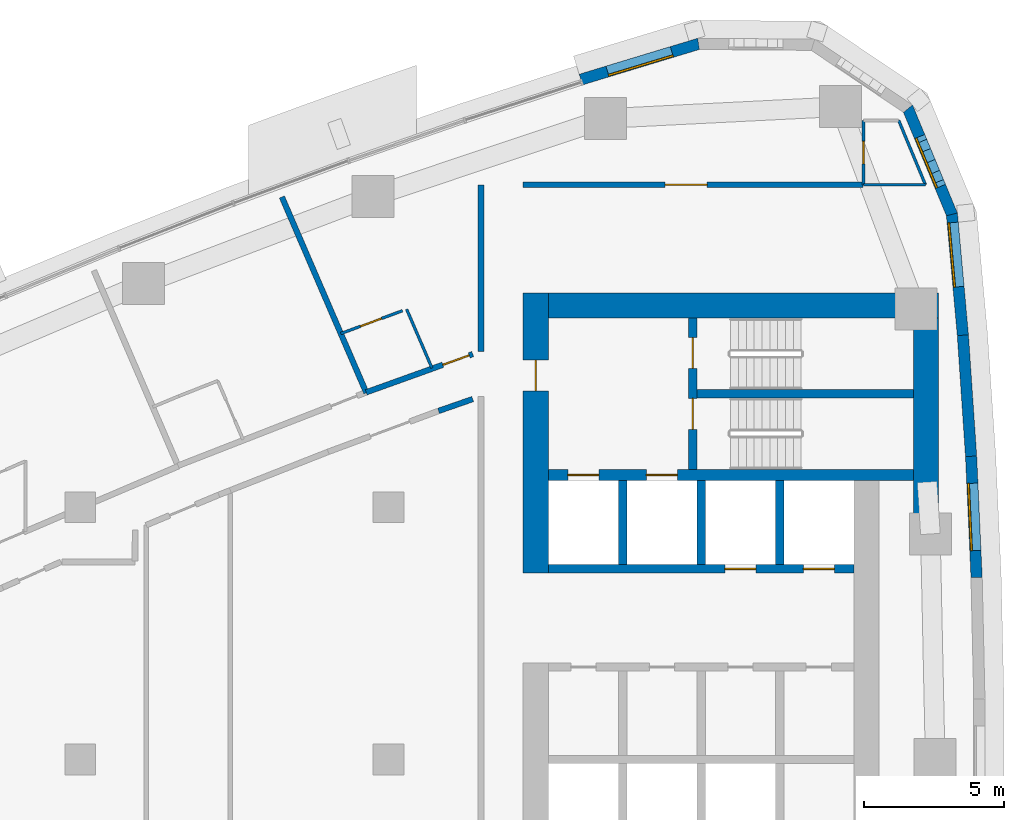
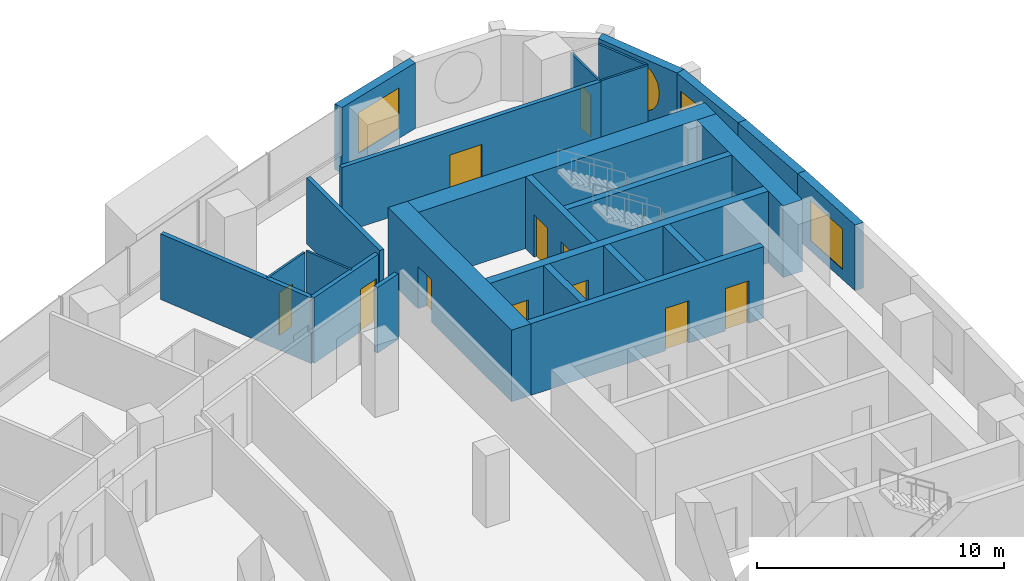
# One storey, part 12 of 17: 25 walls, 11 doors, 4 windows, 15 openings.
"""IFC4 building model written with IfcOpenShell, lengths in metres."""

from ifc_helpers import new_model, si_unit, direction, frame, frame_2d, origin, place, context, subcontext, project, spatial, polyline, rectangle, outline, extrude, material, layer, layer_set, type_object, element, fill, save


model = new_model("IFC4")

# Units and contexts
model_context = context("Model", 3, precision=1e-05, world=origin(), true_north=direction((0.0, 1.0)))
body_context = subcontext(model_context, "Body", "Model", "MODEL_VIEW")
ifc_project = project(units=[si_unit("LENGTHUNIT", "METRE"), si_unit("AREAUNIT", "SQUARE_METRE"), si_unit("VOLUMEUNIT", "CUBIC_METRE"), si_unit("PLANEANGLEUNIT", "RADIAN"), si_unit("MASSUNIT", "GRAM", prefix="KILO")], contexts=[model_context])

# Site, building, storey
site_placement = place(None, origin())
site = spatial("IfcSite", under=ifc_project, at=site_placement, CompositionType="ELEMENT")
building_placement = place(site_placement, origin())
building = spatial("IfcBuilding", under=site, at=building_placement, Name="Ostrand Prow Hotel Tower", CompositionType="ELEMENT")
storey_placement = place(building_placement, frame((0.0, 0.0, 137.300048828125)))
storey = spatial("IfcBuildingStorey", under=building, at=storey_placement, Name="L33", CompositionType="ELEMENT", Elevation=137.300048828125)

# Wall, openings, doors
ifc_material_1 = material(Name="Concrete C70/85", Category="concrete")
ifc_layer_1 = layer(ifc_material_1, 0.300048828125)
ifc_layer_set_1 = layer_set([ifc_layer_1], Name="Concrete C70/85")
wall_type_1 = type_object("IfcWallType", Name="Core wall 300 C70/85", PredefinedType="SHEAR", material=ifc_layer_set_1)
wall_1_placement = place(storey_placement, frame((50.699951171875, 6.800048828125, 0.0), z_axis=(0.0, 0.0, 1.0), x_axis=(1.0, 0.0, 0.0)))
wall_1 = element("IfcWall", 1, at=wall_1_placement, inside=storey, type_object=wall_type_1, Name="Core wall PW-L2-N", PredefinedType="SHEAR", context=body_context, shape_type="SweptSolid", body=[
    extrude(rectangle(XDim=10.900146484375, YDim=0.300048828125, at=frame_2d((5.4501953125, 0.0))), origin(), (0.0, 0.0, 1.0), 3.550048828125),
])
opening_1_placement = place(wall_1_placement, frame((6.300048828125, 0.0, 0.0)))
opening_1 = element("IfcOpeningElement", 2, at=opening_1_placement, cuts=wall_1, Name="Opening LD", PredefinedType="OPENING", context=body_context, shape_type="SweptSolid", body=[
    extrude(rectangle(XDim=1.10009765625, YDim=2.10009765625, at=frame_2d((0.550048828125, 1.050048828125))), frame((0.0, 0.159912109375, 0.0), z_axis=(0.0, -1.0, 0.0), x_axis=(1.0, 0.0, 0.0)), (0.0, 0.0, 1.0), 0.320068359375),
])
opening_2_placement = place(wall_1_placement, frame((9.10009765625, 0.0, 0.0)))
opening_2 = element("IfcOpeningElement", 3, at=opening_2_placement, cuts=wall_1, Name="Opening LD", PredefinedType="OPENING", context=body_context, shape_type="SweptSolid", body=[
    extrude(rectangle(XDim=1.10009765625, YDim=2.10009765625, at=frame_2d((0.550048828125, 1.050048828125))), frame((0.0, 0.159912109375, 0.0), z_axis=(0.0, -1.0, 0.0), x_axis=(1.0, 0.0, 0.0)), (0.0, 0.0, 1.0), 0.320068359375),
])
ifc_material_2 = material(Name="Stainless steel door", Category="steel")
door_type_1 = type_object("IfcDoorType", Name="Lift landing door 1100", OperationType="DOUBLE_DOOR_SLIDING", PredefinedType="DOOR", material=ifc_material_2)
door_1_placement = place(opening_1_placement, origin())
door_1 = element("IfcDoor", 4, at=door_1_placement, inside=storey, type_object=door_type_1, Name="LIFT LANDING DOOR", OperationType="DOUBLE_DOOR_SLIDING", OverallHeight=2.10009765625, OverallWidth=1.10009765625, PredefinedType="DOOR", context=body_context, shape_type="SweptSolid", body=[
    extrude(rectangle(XDim=1.10009765625, YDim=2.10009765625, at=frame_2d((0.550048828125, 1.050048828125))), frame((0.0, 0.02490234375, 0.0), z_axis=(0.0, -1.0, 0.0), x_axis=(1.0, 0.0, 0.0)), (0.0, 0.0, 1.0), 0.050048828125),
])
fill(opening_1, door_1)
door_2_placement = place(opening_2_placement, origin())
door_2 = element("IfcDoor", 5, at=door_2_placement, inside=storey, type_object=door_type_1, Name="LIFT LANDING DOOR", OperationType="DOUBLE_DOOR_SLIDING", OverallHeight=2.10009765625, OverallWidth=1.10009765625, PredefinedType="DOOR", context=body_context, shape_type="SweptSolid", body=[
    extrude(rectangle(XDim=1.10009765625, YDim=2.10009765625, at=frame_2d((0.550048828125, 1.050048828125))), frame((0.0, 0.02490234375, 0.0), z_axis=(0.0, -1.0, 0.0), x_axis=(1.0, 0.0, 0.0)), (0.0, 0.0, 1.0), 0.050048828125),
])
fill(opening_2, door_2)

# Walls
for number, where, z_axis, x_axis, name in (
    (6, (53.35009765625, 6.949951171875, 0.0), (0.0, 0.0, 1.0), (0.0, 1.0, 0.0), "Core wall PW-R1-NA"),
    (7, (56.14990234375, 6.949951171875, 0.0), (0.0, 0.0, 1.0), (0.0, 1.0, 0.0), "Core wall PW-R2-NA"),
    (8, (58.949951171875, 6.949951171875, 0.0), (0.0, 0.0, 1.0), (0.0, 1.0, 0.0), "Core wall PW-R3-NA"),
):
    element("IfcWall", number, at=place(storey_placement, frame(where, z_axis=z_axis, x_axis=x_axis)), inside=storey, type_object=wall_type_1, Name=name, PredefinedType="SHEAR", context=body_context, shape_type="SweptSolid", body=[
        extrude(rectangle(XDim=3.0, YDim=0.300048828125, at=frame_2d((1.5, 0.0))), origin(), (0.0, 0.0, 1.0), 3.550048828125),
    ])

# Wall, openings, doors
wall_2_placement = place(storey_placement, frame((55.85009765625, 10.35009765625, 0.0), z_axis=(0.0, 0.0, 1.0), x_axis=(0.0, 1.0, 0.0)))
wall_2 = element("IfcWall", 9, at=wall_2_placement, inside=storey, type_object=wall_type_1, Name="Core wall PW-VN", PredefinedType="SHEAR", context=body_context, shape_type="SweptSolid", body=[
    extrude(rectangle(XDim=5.39990234375, YDim=0.300048828125, at=frame_2d((2.699951171875, 0.0))), origin(), (0.0, 0.0, 1.0), 3.550048828125),
])
opening_3_placement = place(wall_2_placement, frame((1.429931640625, 0.0, 0.0)))
opening_3 = element("IfcOpeningElement", 10, at=opening_3_placement, cuts=wall_2, Name="Opening FD1", PredefinedType="OPENING", context=body_context, shape_type="SweptSolid", body=[
    extrude(rectangle(XDim=1.10009765625, YDim=2.10009765625, at=frame_2d((0.550048828125, 1.050048828125))), frame((0.0, 0.159912109375, 0.0), z_axis=(0.0, -1.0, 0.0), x_axis=(1.0, 0.0, 0.0)), (0.0, 0.0, 1.0), 0.320068359375),
])
opening_4_placement = place(wall_2_placement, frame((3.60009765625, 0.0, 0.0)))
opening_4 = element("IfcOpeningElement", 11, at=opening_4_placement, cuts=wall_2, Name="Opening FD1", PredefinedType="OPENING", context=body_context, shape_type="SweptSolid", body=[
    extrude(rectangle(XDim=1.10009765625, YDim=2.10009765625, at=frame_2d((0.550048828125, 1.050048828125))), frame((0.0, 0.159912109375, 0.0), z_axis=(0.0, -1.0, 0.0), x_axis=(1.0, 0.0, 0.0)), (0.0, 0.0, 1.0), 0.320068359375),
])
ifc_material_3 = material(Name="Steel fire door", Category="steel")
door_type_2 = type_object("IfcDoorType", Name="Fire door 1100 EI120", OperationType="SINGLE_SWING_RIGHT", PredefinedType="DOOR", material=ifc_material_3)
door_3_placement = place(opening_3_placement, origin())
door_3 = element("IfcDoor", 12, at=door_3_placement, inside=storey, type_object=door_type_2, Name="FIRE DOOR", OperationType="SINGLE_SWING_RIGHT", OverallHeight=2.10009765625, OverallWidth=1.10009765625, PredefinedType="DOOR", context=body_context, shape_type="SweptSolid", body=[
    extrude(rectangle(XDim=1.10009765625, YDim=2.10009765625, at=frame_2d((0.550048828125, 1.050048828125))), frame((0.0, 0.02490234375, 0.0), z_axis=(0.0, -1.0, 0.0), x_axis=(1.0, 0.0, 0.0)), (0.0, 0.0, 1.0), 0.050048828125),
])
fill(opening_3, door_3)
door_4_placement = place(opening_4_placement, origin())
door_4 = element("IfcDoor", 13, at=door_4_placement, inside=storey, type_object=door_type_2, Name="FIRE DOOR", OperationType="SINGLE_SWING_RIGHT", OverallHeight=2.10009765625, OverallWidth=1.10009765625, PredefinedType="DOOR", context=body_context, shape_type="SweptSolid", body=[
    extrude(rectangle(XDim=1.10009765625, YDim=2.10009765625, at=frame_2d((0.550048828125, 1.050048828125))), frame((0.0, 0.02490234375, 0.0), z_axis=(0.0, -1.0, 0.0), x_axis=(1.0, 0.0, 0.0)), (0.0, 0.0, 1.0), 0.050048828125),
])
fill(opening_4, door_4)

# Wall
wall_3_placement = place(storey_placement, frame((56.0, 13.050048828125, 0.0), z_axis=(0.0, 0.0, 1.0), x_axis=(1.0, 0.0, 0.0)))
element("IfcWall", 14, at=wall_3_placement, inside=storey, type_object=wall_type_1, Name="Core wall PW-ST13", PredefinedType="SHEAR", context=body_context, shape_type="SweptSolid", body=[
    extrude(rectangle(XDim=7.719970703125, YDim=0.300048828125, at=frame_2d((3.85986328125, 0.0))), origin(), (0.0, 0.0, 1.0), 3.550048828125),
])

# Wall, openings, doors
ifc_material_4 = material(Name="Concrete C70/85", Category="concrete")
ifc_layer_2 = layer(ifc_material_4, 0.39990234375)
ifc_layer_set_2 = layer_set([ifc_layer_2], Name="Concrete C70/85")
wall_type_2 = type_object("IfcWallType", Name="Core wall 400 C70/85", PredefinedType="SHEAR", material=ifc_layer_set_2)
wall_4_placement = place(storey_placement, frame((50.699951171875, 10.14990234375, 0.0), z_axis=(0.0, 0.0, 1.0), x_axis=(1.0, 0.0, 0.0)))
wall_4 = element("IfcWall", 15, at=wall_4_placement, inside=storey, type_object=wall_type_2, Name="Core wall PW-BN", PredefinedType="SHEAR", context=body_context, shape_type="SweptSolid", body=[
    extrude(rectangle(XDim=13.02001953125, YDim=0.39990234375, at=frame_2d((6.510009765625, 0.0))), origin(), (0.0, 0.0, 1.0), 3.550048828125),
])
opening_5_placement = place(wall_4_placement, frame((0.699951171875, 0.0, 0.0)))
opening_5 = element("IfcOpeningElement", 16, at=opening_5_placement, cuts=wall_4, Name="Opening LD", PredefinedType="OPENING", context=body_context, shape_type="SweptSolid", body=[
    extrude(rectangle(XDim=1.10009765625, YDim=2.10009765625, at=frame_2d((0.550048828125, 1.050048828125))), frame((0.0, 0.2099609375, 0.0), z_axis=(0.0, -1.0, 0.0), x_axis=(1.0, 0.0, 0.0)), (0.0, 0.0, 1.0), 0.419921875),
])
opening_6_placement = place(wall_4_placement, frame((3.5, 0.0, 0.0)))
opening_6 = element("IfcOpeningElement", 17, at=opening_6_placement, cuts=wall_4, Name="Opening LD", PredefinedType="OPENING", context=body_context, shape_type="SweptSolid", body=[
    extrude(rectangle(XDim=1.10009765625, YDim=2.10009765625, at=frame_2d((0.550048828125, 1.050048828125))), frame((0.0, 0.2099609375, 0.0), z_axis=(0.0, -1.0, 0.0), x_axis=(1.0, 0.0, 0.0)), (0.0, 0.0, 1.0), 0.419921875),
])
door_5_placement = place(opening_5_placement, origin())
door_5 = element("IfcDoor", 18, at=door_5_placement, inside=storey, type_object=door_type_1, Name="LIFT LANDING DOOR", OperationType="DOUBLE_DOOR_SLIDING", OverallHeight=2.10009765625, OverallWidth=1.10009765625, PredefinedType="DOOR", context=body_context, shape_type="SweptSolid", body=[
    extrude(rectangle(XDim=1.10009765625, YDim=2.10009765625, at=frame_2d((0.550048828125, 1.050048828125))), frame((0.0, 0.02490234375, 0.0), z_axis=(0.0, -1.0, 0.0), x_axis=(1.0, 0.0, 0.0)), (0.0, 0.0, 1.0), 0.050048828125),
])
fill(opening_5, door_5)
door_6_placement = place(opening_6_placement, origin())
door_6 = element("IfcDoor", 19, at=door_6_placement, inside=storey, type_object=door_type_1, Name="LIFT LANDING DOOR", OperationType="DOUBLE_DOOR_SLIDING", OverallHeight=2.10009765625, OverallWidth=1.10009765625, PredefinedType="DOOR", context=body_context, shape_type="SweptSolid", body=[
    extrude(rectangle(XDim=1.10009765625, YDim=2.10009765625, at=frame_2d((0.550048828125, 1.050048828125))), frame((0.0, 0.02490234375, 0.0), z_axis=(0.0, -1.0, 0.0), x_axis=(1.0, 0.0, 0.0)), (0.0, 0.0, 1.0), 0.050048828125),
])
fill(opening_6, door_6)

# Wall, opening, door
ifc_material_5 = material(Name="Concrete C70/85", Category="concrete")
ifc_layer_3 = layer(ifc_material_5, 0.89990234375)
ifc_layer_set_3 = layer_set([ifc_layer_3], Name="Concrete C70/85")
wall_type_3 = type_object("IfcWallType", Name="Core wall 900 C70/85", PredefinedType="SHEAR", material=ifc_layer_set_3)
wall_5_placement = place(storey_placement, frame((50.25, 6.64990234375, 0.0), z_axis=(0.0, 0.0, 1.0), x_axis=(0.0, 1.0, 0.0)))
wall_5 = element("IfcWall", 20, at=wall_5_placement, inside=storey, type_object=wall_type_3, Name="Core wall CW-W-N", PredefinedType="SHEAR", context=body_context, shape_type="SweptSolid", body=[
    extrude(rectangle(XDim=10.0, YDim=0.89990234375, at=frame_2d((5.0, 0.0))), origin(), (0.0, 0.0, 1.0), 3.550048828125),
])
opening_7_placement = place(wall_5_placement, frame((6.5, 0.0, 0.0)))
opening_7 = element("IfcOpeningElement", 21, at=opening_7_placement, cuts=wall_5, Name="Opening FD1", PredefinedType="OPENING", context=body_context, shape_type="SweptSolid", body=[
    extrude(rectangle(XDim=1.10009765625, YDim=2.10009765625, at=frame_2d((0.550048828125, 1.050048828125))), frame((0.0, 0.4599609375, 0.0), z_axis=(0.0, -1.0, 0.0), x_axis=(1.0, 0.0, 0.0)), (0.0, 0.0, 1.0), 0.919921875),
])
door_7_placement = place(opening_7_placement, origin())
door_7 = element("IfcDoor", 22, at=door_7_placement, inside=storey, type_object=door_type_2, Name="FIRE DOOR", OperationType="SINGLE_SWING_RIGHT", OverallHeight=2.10009765625, OverallWidth=1.10009765625, PredefinedType="DOOR", context=body_context, shape_type="SweptSolid", body=[
    extrude(rectangle(XDim=1.10009765625, YDim=2.10009765625, at=frame_2d((0.550048828125, 1.050048828125))), frame((0.0, 0.02490234375, 0.0), z_axis=(0.0, -1.0, 0.0), x_axis=(1.0, 0.0, 0.0)), (0.0, 0.0, 1.0), 0.050048828125),
])
fill(opening_7, door_7)

# Walls
wall_6_placement = place(storey_placement, frame((50.699951171875, 16.199951171875, 0.0), z_axis=(0.0, 0.0, 1.0), x_axis=(1.0, 0.0, 0.0)))
element("IfcWall", 23, at=wall_6_placement, inside=storey, type_object=wall_type_3, Name="Core wall CW-N", PredefinedType="SHEAR", context=body_context, shape_type="SweptSolid", body=[
    extrude(rectangle(XDim=13.920166015625, YDim=0.89990234375, at=frame_2d((6.9599609375, 0.0))), origin(), (0.0, 0.0, 1.0), 3.550048828125),
])
wall_7_placement = place(storey_placement, frame((64.169921875, 8.74462890625, 0.0), z_axis=(0.0, 0.0, 1.0), x_axis=(0.0, 1.0, 0.0)))
element("IfcWall", 24, at=wall_7_placement, inside=storey, type_object=wall_type_3, Name="Core wall CW-E-N", PredefinedType="SHEAR", context=body_context, shape_type="SweptSolid", body=[
    extrude(rectangle(XDim=7.00537109375, YDim=0.89990234375, at=frame_2d((3.502685546875, 0.0))), origin(), (0.0, 0.0, 1.0), 3.550048828125),
])

# Wall, opening, door
ifc_material_6 = material(Name="Plasterboard partition")
ifc_layer_4 = layer(ifc_material_6, 0.10009765625)
ifc_layer_set_4 = layer_set([ifc_layer_4], Name="Plasterboard partition")
wall_type_4 = type_object("IfcWallType", Name="Partition 100 bathroom wall", PredefinedType="PARTITIONING", material=ifc_layer_set_4)
wall_8_placement = place(storey_placement, frame((61.9375, 20.5, 0.0), z_axis=(0.0, 0.0, 1.0), x_axis=(0.0, 1.0, 0.0)))
wall_8 = element("IfcWall", 25, at=wall_8_placement, inside=storey, type_object=wall_type_4, Name="BATHROOM WALL", PredefinedType="PARTITIONING", context=body_context, shape_type="SweptSolid", body=[
    extrude(rectangle(XDim=2.300048828125, YDim=0.10009765625, at=frame_2d((1.14990234375, 0.0))), origin(), (0.0, 0.0, 1.0), 3.25),
])
opening_8_placement = place(wall_8_placement, frame((0.75, 0.0, 0.0)))
opening_8 = element("IfcOpeningElement", 26, at=opening_8_placement, cuts=wall_8, Name="Opening D2", PredefinedType="OPENING", context=body_context, shape_type="SweptSolid", body=[
    extrude(rectangle(XDim=0.800048828125, YDim=2.10009765625, at=frame_2d((0.39990234375, 1.050048828125))), frame((0.0, 0.06005859375, 0.0), z_axis=(0.0, -1.0, 0.0), x_axis=(1.0, 0.0, 0.0)), (0.0, 0.0, 1.0), 0.1201171875),
])
ifc_material_7 = material(Name="Timber door leaf", Category="wood")
door_type_3 = type_object("IfcDoorType", Name="Bathroom door 800", OperationType="SINGLE_SWING_LEFT", PredefinedType="DOOR", material=ifc_material_7)
door_8_placement = place(opening_8_placement, origin())
door_8 = element("IfcDoor", 27, at=door_8_placement, inside=storey, type_object=door_type_3, Name="DOOR", OperationType="SINGLE_SWING_LEFT", OverallHeight=2.10009765625, OverallWidth=0.800048828125, PredefinedType="DOOR", context=body_context, shape_type="SweptSolid", body=[
    extrude(rectangle(XDim=0.800048828125, YDim=2.10009765625, at=frame_2d((0.39990234375, 1.050048828125))), frame((0.0, 0.02490234375, 0.0), z_axis=(0.0, -1.0, 0.0), x_axis=(1.0, 0.0, 0.0)), (0.0, 0.0, 1.0), 0.050048828125),
])
fill(opening_8, door_8)

wall_9_placement = place(storey_placement, frame((43.295166015625, 15.195068359375, 0.0), z_axis=(0.0, 0.0, 1.0), x_axis=(0.937739981943, 0.347338057613, 0.0)))
wall_9 = element("IfcWall", 28, at=wall_9_placement, inside=storey, type_object=wall_type_4, Name="BATHROOM WALL", PredefinedType="PARTITIONING", context=body_context, shape_type="SweptSolid", body=[
    extrude(rectangle(XDim=2.348388671875, YDim=0.10009765625, at=frame_2d((1.17431640625, 0.0))), origin(), (0.0, 0.0, 1.0), 3.25),
])
opening_9_placement = place(wall_9_placement, frame((0.75, 0.0, 0.0)))
opening_9 = element("IfcOpeningElement", 29, at=opening_9_placement, cuts=wall_9, Name="Opening D2", PredefinedType="OPENING", context=body_context, shape_type="SweptSolid", body=[
    extrude(rectangle(XDim=0.800048828125, YDim=2.10009765625, at=frame_2d((0.39990234375, 1.050048828125))), frame((0.0, 0.06005859375, 0.0), z_axis=(0.0, -1.0, 0.0), x_axis=(1.0, 0.0, 0.0)), (0.0, 0.0, 1.0), 0.1201171875),
])
door_9_placement = place(opening_9_placement, origin())
door_9 = element("IfcDoor", 30, at=door_9_placement, inside=storey, type_object=door_type_3, Name="DOOR", OperationType="SINGLE_SWING_LEFT", OverallHeight=2.10009765625, OverallWidth=0.800048828125, PredefinedType="DOOR", context=body_context, shape_type="SweptSolid", body=[
    extrude(rectangle(XDim=0.800048828125, YDim=2.10009765625, at=frame_2d((0.39990234375, 1.050048828125))), frame((0.0, 0.02490234375, 0.0), z_axis=(0.0, -1.0, 0.0), x_axis=(1.0, 0.0, 0.0)), (0.0, 0.0, 1.0), 0.050048828125),
])
fill(opening_9, door_9)

# Walls
wall_10_placement = place(storey_placement, frame((45.643798828125, 16.061767578125, 0.0), z_axis=(0.0, 0.0, 1.0), x_axis=(0.395944391694, -0.918274489837, 0.0)))
element("IfcWall", 31, at=wall_10_placement, inside=storey, type_object=wall_type_4, Name="BATHROOM WALL", PredefinedType="PARTITIONING", context=body_context, shape_type="SweptSolid", body=[
    extrude(rectangle(XDim=2.283203125, YDim=0.10009765625, at=frame_2d((1.1416015625, 0.0))), origin(), (0.0, 0.0, 1.0), 3.25),
])
wall_11_placement = place(storey_placement, frame((63.1982421875, 22.800048828125, 0.0), z_axis=(0.0, 0.0, 1.0), x_axis=(0.383855043906, -0.923393364319, 0.0)))
element("IfcWall", 32, at=wall_11_placement, inside=storey, type_object=wall_type_4, Name="BATHROOM WALL", PredefinedType="PARTITIONING", context=body_context, shape_type="SweptSolid", body=[
    extrude(rectangle(XDim=2.485595703125, YDim=0.10009765625, at=frame_2d((1.24267578125, 0.0))), origin(), (0.0, 0.0, 1.0), 3.25),
])
wall_12_placement = place(storey_placement, frame((64.15234375, 20.5048828125, 0.0), z_axis=(0.0, 0.0, 1.0), x_axis=(-1.0, 0.0, 0.0)))
element("IfcWall", 33, at=wall_12_placement, inside=storey, type_object=wall_type_4, Name="BATHROOM WALL", PredefinedType="PARTITIONING", context=body_context, shape_type="SweptSolid", body=[
    extrude(rectangle(XDim=2.21484375, YDim=0.10009765625, at=frame_2d((1.107421875, 0.0))), origin(), (0.0, 0.0, 1.0), 3.25),
])

# Wall, opening, door
ifc_material_8 = material(Name="Plasterboard partition")
ifc_layer_5 = layer(ifc_material_8, 0.199951171875)
ifc_layer_set_5 = layer_set([ifc_layer_5], Name="Plasterboard partition")
wall_type_5 = type_object("IfcWallType", Name="Partition 200 corridor wall", PredefinedType="PARTITIONING", material=ifc_layer_set_5)
wall_13_placement = place(storey_placement, frame((61.9326171875, 20.5048828125, 0.0), z_axis=(0.0, 0.0, 1.0), x_axis=(-1.0, 0.0, 0.0)))
wall_13 = element("IfcWall", 34, at=wall_13_placement, inside=storey, type_object=wall_type_5, Name="CORRIDOR WALL", PredefinedType="PARTITIONING", context=body_context, shape_type="SweptSolid", body=[
    extrude(rectangle(XDim=12.132568359375, YDim=0.199951171875, at=frame_2d((6.06640625, 0.0))), origin(), (0.0, 0.0, 1.0), 3.25),
])
opening_10_placement = place(wall_13_placement, frame((5.56640625, 0.0, 0.0)))
opening_10 = element("IfcOpeningElement", 35, at=opening_10_placement, cuts=wall_13, Name="Opening D15", PredefinedType="OPENING", context=body_context, shape_type="SweptSolid", body=[
    extrude(rectangle(XDim=1.5, YDim=2.10009765625, at=frame_2d((0.75, 1.050048828125))), frame((0.0, 0.10986328125, 0.0), z_axis=(0.0, -1.0, 0.0), x_axis=(1.0, 0.0, 0.0)), (0.0, 0.0, 1.0), 0.219970703125),
])
ifc_material_9 = material(Name="Timber door leaf", Category="wood")
door_type_4 = type_object("IfcDoorType", Name="Double door 1500", OperationType="DOUBLE_DOOR_SINGLE_SWING", PredefinedType="DOOR", material=ifc_material_9)
door_10_placement = place(opening_10_placement, origin())
door_10 = element("IfcDoor", 36, at=door_10_placement, inside=storey, type_object=door_type_4, Name="DOOR", OperationType="DOUBLE_DOOR_SINGLE_SWING", OverallHeight=2.10009765625, OverallWidth=1.5, PredefinedType="DOOR", context=body_context, shape_type="SweptSolid", body=[
    extrude(rectangle(XDim=1.5, YDim=2.10009765625, at=frame_2d((0.75, 1.050048828125))), frame((0.0, 0.02490234375, 0.0), z_axis=(0.0, -1.0, 0.0), x_axis=(1.0, 0.0, 0.0)), (0.0, 0.0, 1.0), 0.050048828125),
])
fill(opening_10, door_10)

wall_14_placement = place(storey_placement, frame((48.0, 14.463623046875, 0.0), z_axis=(0.0, 0.0, 1.0), x_axis=(-0.941127615579, -0.338051491927, 0.0)))
wall_14 = element("IfcWall", 37, at=wall_14_placement, inside=storey, type_object=wall_type_5, Name="CORRIDOR WALL", PredefinedType="PARTITIONING", context=body_context, shape_type="SweptSolid", body=[
    extrude(rectangle(XDim=4.03857421875, YDim=0.199951171875, at=frame_2d((2.019287109375, 0.0))), origin(), (0.0, 0.0, 1.0), 3.25),
])
opening_11_placement = place(wall_14_placement, frame((0.131103515625, 0.0, 0.0)))
opening_11 = element("IfcOpeningElement", 38, at=opening_11_placement, cuts=wall_14, Name="Opening D1", PredefinedType="OPENING", context=body_context, shape_type="SweptSolid", body=[
    extrude(rectangle(XDim=1.0, YDim=2.10009765625, at=frame_2d((0.5, 1.050048828125))), frame((0.0, 0.10986328125, 0.0), z_axis=(0.0, -1.0, 0.0), x_axis=(1.0, 0.0, 0.0)), (0.0, 0.0, 1.0), 0.219970703125),
])
ifc_material_10 = material(Name="Timber door leaf", Category="wood")
door_type_5 = type_object("IfcDoorType", Name="Guest room door 1000", OperationType="SINGLE_SWING_LEFT", PredefinedType="DOOR", material=ifc_material_10)
door_11_placement = place(opening_11_placement, origin())
door_11 = element("IfcDoor", 39, at=door_11_placement, inside=storey, type_object=door_type_5, Name="DOOR", OperationType="SINGLE_SWING_LEFT", OverallHeight=2.10009765625, OverallWidth=1.0, PredefinedType="DOOR", context=body_context, shape_type="SweptSolid", body=[
    extrude(rectangle(XDim=1.0, YDim=2.10009765625, at=frame_2d((0.5, 1.050048828125))), frame((0.0, 0.02490234375, 0.0), z_axis=(0.0, -1.0, 0.0), x_axis=(1.0, 0.0, 0.0)), (0.0, 0.0, 1.0), 0.050048828125),
])
fill(opening_11, door_11)

# Walls
wall_15_placement = place(storey_placement, frame((46.78125, 12.43408203125, 0.0), z_axis=(0.0, 0.0, 1.0), x_axis=(0.944517215109, 0.328461916152, 0.0)))
element("IfcWall", 40, at=wall_15_placement, inside=storey, type_object=wall_type_5, Name="CORRIDOR WALL", PredefinedType="PARTITIONING", context=body_context, shape_type="SweptSolid", body=[
    extrude(rectangle(XDim=1.290283203125, YDim=0.199951171875, at=frame_2d((0.64501953125, 0.0))), origin(), (0.0, 0.0, 1.0), 3.25),
])
wall_16_placement = place(storey_placement, frame((48.295166015625, 20.5009765625, 0.0), z_axis=(0.0, 0.0, 1.0), x_axis=(-4.1050903e-05, -0.999999999157, 0.0)))
element("IfcWall", 41, at=wall_16_placement, inside=storey, type_object=wall_type_5, Name="CORRIDOR WALL", PredefinedType="PARTITIONING", context=body_context, shape_type="SweptSolid", body=[
    extrude(rectangle(XDim=5.947265625, YDim=0.199951171875, at=frame_2d((2.9736328125, 0.0))), origin(), (0.0, 0.0, 1.0), 3.25),
])
ifc_material_11 = material(Name="Plasterboard partition")
ifc_layer_6 = layer(ifc_material_11, 0.199951171875)
ifc_layer_set_6 = layer_set([ifc_layer_6], Name="Plasterboard partition")
wall_type_6 = type_object("IfcWallType", Name="Partition 200 key partition", PredefinedType="PARTITIONING", material=ifc_layer_set_6)
wall_17_placement = place(storey_placement, frame((44.20703125, 13.080078125, 0.0), z_axis=(0.0, 0.0, 1.0), x_axis=(-0.395981863621, 0.918258331671, 0.0)))
element("IfcWall", 42, at=wall_17_placement, inside=storey, type_object=wall_type_6, Name="KEY PARTITION", PredefinedType="PARTITIONING", context=body_context, shape_type="SweptSolid", body=[
    extrude(rectangle(XDim=7.610595703125, YDim=0.199951171875, at=frame_2d((3.80517578125, 0.0))), origin(), (0.0, 0.0, 1.0), 3.25),
])

# Wall, opening, window
ifc_material_12 = material(Name="Precast concrete C40/50", Category="concrete")
ifc_layer_7 = layer(ifc_material_12, 0.39990234375)
ifc_layer_set_7 = layer_set([ifc_layer_7], Name="Precast concrete C40/50")
wall_type_7 = type_object("IfcWallType", Name="Stone-faced precast wall 400 mm", PredefinedType="NOTDEFINED", material=ifc_layer_set_7)
wall_18_placement = place(storey_placement, frame((65.977783203125, 6.4921875, 0.0), z_axis=(0.0, 0.0, 1.0), x_axis=(-0.045228592312, 0.99897666361, 0.0)))
wall_18 = element("IfcWall", 43, at=wall_18_placement, inside=storey, type_object=wall_type_7, Name="Stone-faced wall back 11", PredefinedType="NOTDEFINED", context=body_context, shape_type="SweptSolid", body=[
    extrude(outline(polyline([(-0.002197265625, -0.199951171875), (4.331298828125, -0.199951171875), (4.326904296875, 0.199951171875), (0.002197265625, 0.199951171875), (-0.002197265625, -0.199951171875)])), origin(), (0.0, 0.0, 1.0), 3.25),
])
opening_12_placement = place(wall_18_placement, frame((0.964599609375, 0.0, 0.5)))
opening_12 = element("IfcOpeningElement", 44, at=opening_12_placement, cuts=wall_18, Name="Opening WA1", PredefinedType="OPENING", context=body_context, shape_type="SweptSolid", body=[
    extrude(rectangle(XDim=2.39990234375, YDim=2.0, at=frame_2d((1.199951171875, 1.0))), frame((0.0, 0.2099609375, 0.0), z_axis=(0.0, -1.0, 0.0), x_axis=(1.0, 0.0, 0.0)), (0.0, 0.0, 1.0), 0.419921875),
])
ifc_material_13 = material(Name="Insulated glass in bronze frame", Category="glass")
window_type_1 = type_object("IfcWindowType", Name="Amenity picture window 2400x2000", PartitioningType="SINGLE_PANEL", PredefinedType="WINDOW", material=ifc_material_13)
window_1_placement = place(opening_12_placement, origin())
window_1 = element("IfcWindow", 45, at=window_1_placement, inside=storey, type_object=window_type_1, Name="Window back 11.1", OverallHeight=2.0, OverallWidth=2.39990234375, PartitioningType="SINGLE_PANEL", PredefinedType="WINDOW", context=body_context, shape_type="SweptSolid", body=[
    extrude(rectangle(XDim=2.39990234375, YDim=2.0, at=frame_2d((1.199951171875, 1.0))), frame((0.0, 0.169921875, 0.0), z_axis=(0.0, -1.0, 0.0), x_axis=(1.0, 0.0, 0.0)), (0.0, 0.0, 1.0), 0.06005859375),
])
fill(opening_12, window_1)

# Wall
wall_19_placement = place(storey_placement, frame((65.781982421875, 10.81689453125, 0.0), z_axis=(0.0, 0.0, 1.0), x_axis=(-0.067731727279, 0.997703569764, 0.0)))
element("IfcWall", 46, at=wall_19_placement, inside=storey, type_object=wall_type_7, Name="Stone-faced wall back 12", PredefinedType="NOTDEFINED", context=body_context, shape_type="SweptSolid", body=[
    extrude(outline(polyline([(-0.002197265625, -0.199951171875), (4.331298828125, -0.199951171875), (4.326904296875, 0.199951171875), (0.002197265625, 0.199951171875), (-0.002197265625, -0.199951171875)])), origin(), (0.0, 0.0, 1.0), 3.25),
])

# Wall, opening, window
wall_20_placement = place(storey_placement, frame((65.48876953125, 15.135986328125, 0.0), z_axis=(0.0, 0.0, 1.0), x_axis=(-0.090296735989, 0.995914905737, 0.0)))
wall_20 = element("IfcWall", 47, at=wall_20_placement, inside=storey, type_object=wall_type_7, Name="Stone-faced wall back 13", PredefinedType="NOTDEFINED", context=body_context, shape_type="SweptSolid", body=[
    extrude(outline(polyline([(-0.002197265625, -0.199951171875), (4.359130859375, -0.199951171875), (4.298095703125, 0.199951171875), (0.002197265625, 0.199951171875), (-0.002197265625, -0.199951171875)])), origin(), (0.0, 0.0, 1.0), 3.25),
])
opening_13_placement = place(wall_20_placement, frame((1.73583984375, 0.0, 0.5)))
opening_13 = element("IfcOpeningElement", 48, at=opening_13_placement, cuts=wall_20, Name="Opening WA1-23", PredefinedType="OPENING", context=body_context, shape_type="SweptSolid", body=[
    extrude(rectangle(XDim=2.300048828125, YDim=2.0, at=frame_2d((1.14990234375, 1.0))), frame((0.0, 0.2099609375, 0.0), z_axis=(0.0, -1.0, 0.0), x_axis=(1.0, 0.0, 0.0)), (0.0, 0.0, 1.0), 0.419921875),
])
ifc_material_14 = material(Name="Insulated glass in bronze frame", Category="glass")
window_type_2 = type_object("IfcWindowType", Name="Amenity picture window 2300x2000", PartitioningType="SINGLE_PANEL", PredefinedType="WINDOW", material=ifc_material_14)
window_2_placement = place(opening_13_placement, origin())
window_2 = element("IfcWindow", 49, at=window_2_placement, inside=storey, type_object=window_type_2, Name="Window back 13.1", OverallHeight=2.0, OverallWidth=2.300048828125, PartitioningType="SINGLE_PANEL", PredefinedType="WINDOW", context=body_context, shape_type="SweptSolid", body=[
    extrude(rectangle(XDim=2.300048828125, YDim=2.0, at=frame_2d((1.14990234375, 1.0))), frame((0.0, 0.169921875, 0.0), z_axis=(0.0, -1.0, 0.0), x_axis=(1.0, 0.0, 0.0)), (0.0, 0.0, 1.0), 0.06005859375),
])
fill(opening_13, window_2)

wall_21_placement = place(storey_placement, frame((65.097900390625, 19.447021484375, 0.0), z_axis=(0.0, 0.0, 1.0), x_axis=(-0.383817293519, 0.923409056267, 0.0)))
wall_21 = element("IfcWall", 50, at=wall_21_placement, inside=storey, type_object=wall_type_7, Name="Stone-faced wall back 14", PredefinedType="NOTDEFINED", context=body_context, shape_type="SweptSolid", body=[
    extrude(outline(polyline([(-0.030517578125, -0.199951171875), (4.14453125, -0.199951171875), (4.02392578125, 0.199951171875), (0.030517578125, 0.199951171875), (-0.030517578125, -0.199951171875)])), origin(), (0.0, 0.0, 1.0), 3.25),
])
opening_14_placement = place(wall_21_placement, frame((0.94189453125, 0.0, 0.60009765625)))
opening_14 = element("IfcOpeningElement", 51, at=opening_14_placement, cuts=wall_21, Name="Opening WP2", PredefinedType="OPENING", context=body_context, shape_type="SweptSolid", body=[
    extrude(outline(polyline([(0.0, 1.35009765625), (0.083740234375, 1.77099609375), (0.322265625, 2.127685546875), (0.678955078125, 2.3662109375), (1.10009765625, 2.449951171875), (1.52099609375, 2.3662109375), (1.877685546875, 2.127685546875), (2.1162109375, 1.77099609375), (2.199951171875, 1.35009765625), (2.199951171875, 1.10009765625), (2.1162109375, 0.678955078125), (1.877685546875, 0.322265625), (1.52099609375, 0.083740234375), (1.10009765625, 0.0), (0.678955078125, 0.083740234375), (0.322265625, 0.322265625), (0.083740234375, 0.678955078125), (0.0, 1.099853515625), (0.0, 1.35009765625)])), frame((0.0, 0.2099609375, 0.0), z_axis=(0.0, -1.0, 0.0), x_axis=(1.0, 0.0, 0.0)), (0.0, 0.0, 1.0), 0.419921875),
])
ifc_material_15 = material(Name="Insulated glass in bronze frame", Category="glass")
window_type_3 = type_object("IfcWindowType", Name="Round-ended prow lounge window 2200x2450", PartitioningType="SINGLE_PANEL", PredefinedType="WINDOW", material=ifc_material_15)
window_3_placement = place(opening_14_placement, origin())
window_3 = element("IfcWindow", 52, at=window_3_placement, inside=storey, type_object=window_type_3, Name="Window back 14.1", OverallHeight=2.449951171875, OverallWidth=2.199951171875, PartitioningType="SINGLE_PANEL", PredefinedType="WINDOW", context=body_context, shape_type="SweptSolid", body=[
    extrude(outline(polyline([(0.0, 1.35009765625), (0.083740234375, 1.77099609375), (0.322265625, 2.127685546875), (0.678955078125, 2.3662109375), (1.10009765625, 2.449951171875), (1.52099609375, 2.3662109375), (1.877685546875, 2.127685546875), (2.1162109375, 1.77099609375), (2.199951171875, 1.35009765625), (2.199951171875, 1.10009765625), (2.1162109375, 0.678955078125), (1.877685546875, 0.322265625), (1.52099609375, 0.083740234375), (1.10009765625, 0.0), (0.678955078125, 0.083740234375), (0.322265625, 0.322265625), (0.083740234375, 0.678955078125), (0.0, 1.099853515625), (0.0, 1.35009765625)])), frame((0.0, 0.169921875, 0.0), z_axis=(0.0, -1.0, 0.0), x_axis=(1.0, 0.0, 0.0)), (0.0, 0.0, 1.0), 0.06005859375),
])
fill(opening_14, window_3)

wall_22_placement = place(storey_placement, frame((56.05810546875, 25.530517578125, 0.0), z_axis=(0.0, 0.0, 1.0), x_axis=(-0.956964488344, -0.290205044837, 0.0)))
wall_22 = element("IfcWall", 53, at=wall_22_placement, inside=storey, type_object=wall_type_7, Name="Stone-faced wall back 17", PredefinedType="NOTDEFINED", context=body_context, shape_type="SweptSolid", body=[
    extrude(outline(polyline([(-0.030517578125, -0.199951171875), (4.387939453125, -0.199951171875), (4.387939453125, 0.199951171875), (0.030517578125, 0.199951171875), (-0.030517578125, -0.199951171875)])), origin(), (0.0, 0.0, 1.0), 3.25),
])
opening_15_placement = place(wall_22_placement, frame((0.993896484375, 0.0, 0.5)))
opening_15 = element("IfcOpeningElement", 54, at=opening_15_placement, cuts=wall_22, Name="Opening WA1", PredefinedType="OPENING", context=body_context, shape_type="SweptSolid", body=[
    extrude(rectangle(XDim=2.39990234375, YDim=2.0, at=frame_2d((1.199951171875, 1.0))), frame((0.0, 0.2099609375, 0.0), z_axis=(0.0, -1.0, 0.0), x_axis=(1.0, 0.0, 0.0)), (0.0, 0.0, 1.0), 0.419921875),
])
window_4_placement = place(opening_15_placement, origin())
window_4 = element("IfcWindow", 55, at=window_4_placement, inside=storey, type_object=window_type_1, Name="Window back 17.1", OverallHeight=2.0, OverallWidth=2.39990234375, PartitioningType="SINGLE_PANEL", PredefinedType="WINDOW", context=body_context, shape_type="SweptSolid", body=[
    extrude(rectangle(XDim=2.39990234375, YDim=2.0, at=frame_2d((1.199951171875, 1.0))), frame((0.0, 0.169921875, 0.0), z_axis=(0.0, -1.0, 0.0), x_axis=(1.0, 0.0, 0.0)), (0.0, 0.0, 1.0), 0.06005859375),
])
fill(opening_15, window_4)

save(model, "model.ifc")
